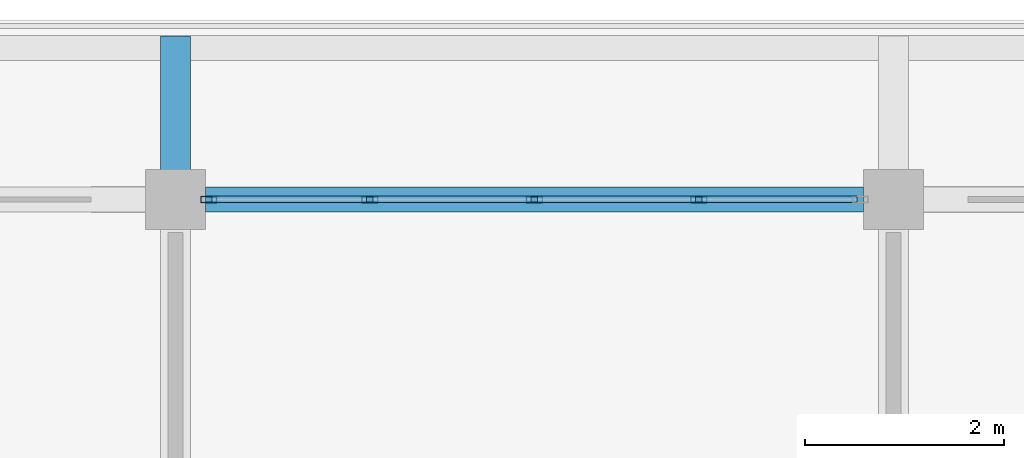
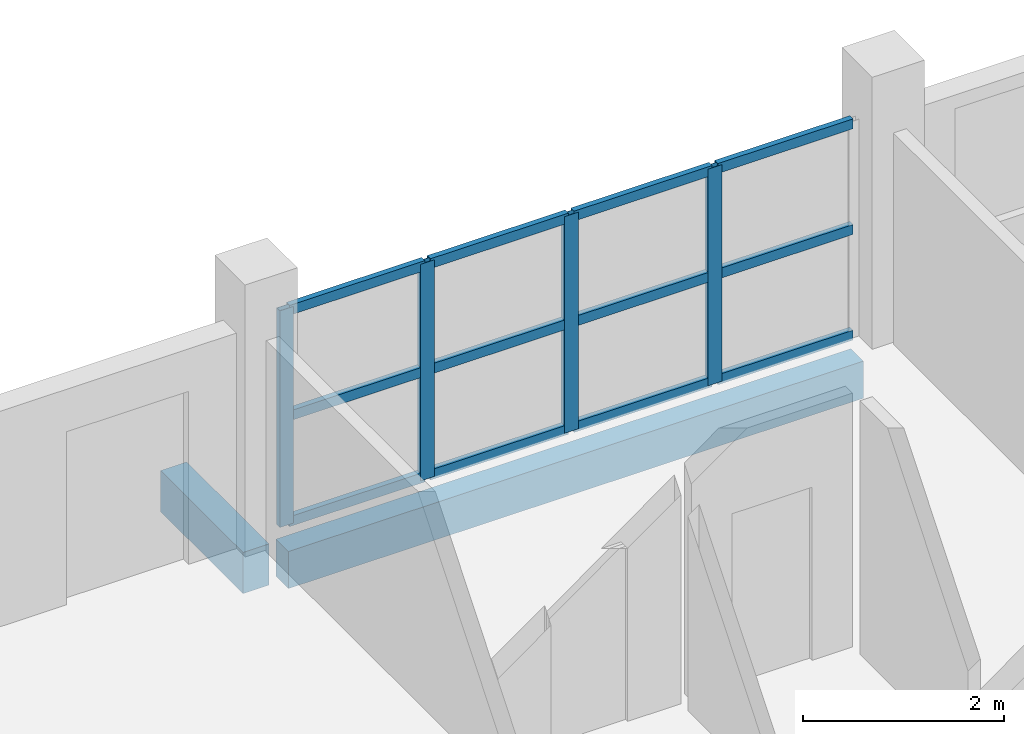
# One storey, part 12 of 60: 16 members, 2 beams, 1 element without a shape of its own.
"""IFC4 building model written with IfcOpenShell, lengths in metres."""

from ifc_helpers import new_model, si_unit, direction, frame, origin, origin_2d, place, context, subcontext, project, spatial, rectangle, hollow_rectangle, extrude, material, material_profile, profile_set, type_object, element, aggregate, save


model = new_model("IFC4")

# Units and contexts
model_context = context("Model", 3, precision=1e-05, world=origin(), true_north=direction((0.0, 1.0)))
body_context = subcontext(model_context, "Body", "Model", "MODEL_VIEW")
ifc_project = project(units=[si_unit("LENGTHUNIT", "METRE"), si_unit("AREAUNIT", "SQUARE_METRE"), si_unit("VOLUMEUNIT", "CUBIC_METRE"), si_unit("PLANEANGLEUNIT", "RADIAN"), si_unit("MASSUNIT", "GRAM", prefix="KILO")], contexts=[model_context])

# Site, building, storey
site_placement = place(None, origin())
site = spatial("IfcSite", under=ifc_project, at=site_placement, CompositionType="ELEMENT")
building_placement = place(site_placement, origin())
building = spatial("IfcBuilding", under=site, at=building_placement, Name="Suanplinth Sawtooth Commons", CompositionType="ELEMENT")
storey_placement = place(building_placement, frame((0.0, 0.0, 31.5)))
storey = spatial("IfcBuildingStorey", under=building, at=storey_placement, Name="L09", CompositionType="ELEMENT", Elevation=31.5)

# Beams
ifc_material_1 = material(Name="Precast concrete C40/50", Category="concrete")
ifc_material_profile_1 = material_profile(ifc_material_1, rectangle(XDim=0.300048828125, YDim=0.5, at=origin_2d()), Name="PC-BM 300x500")
ifc_profile_set_1 = profile_set([ifc_material_profile_1], Name="Precast concrete C40/50")
beam_type_1 = type_object("IfcBeamType", Name="B-07", PredefinedType="BEAM", material=ifc_profile_set_1)
beam_1_placement = place(storey_placement, frame((72.0, 122.39990234375, -0.429931640625), z_axis=(0.0, 1.0, 0.0), x_axis=(-1.0, 0.0, 0.0)))
element("IfcBeam", 1, at=beam_1_placement, inside=storey, type_object=beam_type_1, Name="Balcony Outrigger L09-A-N-10", PredefinedType="BEAM", context=body_context, shape_type="SweptSolid", body=[
    extrude(rectangle(XDim=0.300048828125, YDim=0.5, at=origin_2d()), origin(), (0.0, 0.0, 1.0), 1.64013671875),
])
ifc_material_profile_2 = material_profile(ifc_material_1, rectangle(XDim=0.25, YDim=0.449951171875, at=origin_2d()), Name="PC-SP 250x450")
ifc_profile_set_2 = profile_set([ifc_material_profile_2], Name="Precast concrete C40/50")
beam_type_2 = type_object("IfcBeamType", Name="B-09", PredefinedType="SPANDREL", material=ifc_profile_set_2)
beam_2_placement = place(storey_placement, frame((72.300048828125, 122.39990234375, -0.47509765625), z_axis=(1.0, 0.0, 0.0), x_axis=(0.0, 1.0, 0.0)))
element("IfcBeam", 2, at=beam_2_placement, inside=storey, type_object=beam_type_2, Name="BMX-L09-A-10-17", PredefinedType="SPANDREL", context=body_context, shape_type="SweptSolid", body=[
    extrude(rectangle(XDim=0.25, YDim=0.449951171875, at=origin_2d()), origin(), (0.0, 0.0, 1.0), 6.599853515625),
])

# Curtain wall, members
ifc_material_2 = material(Name="Anodized aluminium and low-E glazing", Category="aluminium")
curtain_wall_type = type_object("IfcCurtainWallType", Name="CW-06", PredefinedType="USERDEFINED", material=ifc_material_2)
curtain_wall_placement = place(storey_placement, origin())
curtain_wall = element("IfcCurtainWall", 3, at=curtain_wall_placement, inside=storey, type_object=curtain_wall_type, Name="Curtain Wall CW-L09-A-LOUNGE-8", ObjectType="CURTAIN WALL", PredefinedType="USERDEFINED")
ifc_material_3 = material(Name="Anodized aluminium 6063-T6", Category="aluminium")
ifc_material_profile_3 = material_profile(ifc_material_3, hollow_rectangle(XDim=0.06494140625, YDim=0.159912109375, WallThickness=0.00390625, at=origin_2d()), Name="ALU-MUL 65x160")
ifc_profile_set_3 = profile_set([ifc_material_profile_3], Name="Anodized aluminium 6063-T6")
member_type_1 = type_object("IfcMemberType", Name="M-13", PredefinedType="MULLION", material=ifc_profile_set_3)
member_1_placement = place(storey_placement, frame((72.33251953125, 122.39990234375, 0.0), z_axis=(0.0, 0.0, 1.0), x_axis=(0.0, 1.0, 0.0)))
member_1 = element("IfcMember", 4, at=member_1_placement, type_object=member_type_1, Name="CW-06 mullion 1", PredefinedType="MULLION", context=body_context, shape_type="SweptSolid", body=[
    extrude(hollow_rectangle(XDim=0.06494140625, YDim=0.159912109375, WallThickness=0.00390625, at=origin_2d()), origin(), (0.0, 0.0, 1.0), 2.6298828125),
])
member_2_placement = place(storey_placement, frame((73.949951171875, 122.39990234375, 0.0), z_axis=(0.0, 0.0, 1.0), x_axis=(0.0, 1.0, 0.0)))
member_2 = element("IfcMember", 5, at=member_2_placement, type_object=member_type_1, Name="CW-06 mullion 2", PredefinedType="MULLION", context=body_context, shape_type="SweptSolid", body=[
    extrude(hollow_rectangle(XDim=0.06494140625, YDim=0.159912109375, WallThickness=0.00390625, at=origin_2d()), origin(), (0.0, 0.0, 1.0), 2.6298828125),
])
member_3_placement = place(storey_placement, frame((75.60009765625, 122.39990234375, 0.0), z_axis=(0.0, 0.0, 1.0), x_axis=(0.0, 1.0, 0.0)))
member_3 = element("IfcMember", 6, at=member_3_placement, type_object=member_type_1, Name="CW-06 mullion 3", PredefinedType="MULLION", context=body_context, shape_type="SweptSolid", body=[
    extrude(hollow_rectangle(XDim=0.06494140625, YDim=0.159912109375, WallThickness=0.00390625, at=origin_2d()), origin(), (0.0, 0.0, 1.0), 2.6298828125),
])
member_4_placement = place(storey_placement, frame((77.25, 122.39990234375, 0.0), z_axis=(0.0, 0.0, 1.0), x_axis=(0.0, 1.0, 0.0)))
member_4 = element("IfcMember", 7, at=member_4_placement, type_object=member_type_1, Name="CW-06 mullion 4", PredefinedType="MULLION", context=body_context, shape_type="SweptSolid", body=[
    extrude(hollow_rectangle(XDim=0.06494140625, YDim=0.159912109375, WallThickness=0.00390625, at=origin_2d()), origin(), (0.0, 0.0, 1.0), 2.6298828125),
])
ifc_material_profile_4 = material_profile(ifc_material_3, hollow_rectangle(XDim=0.06494140625, YDim=0.1201171875, WallThickness=0.00390625, at=origin_2d()), Name="ALU-TRN 65x120")
ifc_profile_set_4 = profile_set([ifc_material_profile_4], Name="Anodized aluminium 6063-T6")
member_type_2 = type_object("IfcMemberType", Name="M-15", PredefinedType="USERDEFINED", material=ifc_profile_set_4)
member_5_placement = place(storey_placement, frame((72.364990234375, 122.39990234375, 0.032470703125), z_axis=(1.0, 0.0, 0.0), x_axis=(0.0, 1.0, 0.0)))
member_5 = element("IfcMember", 8, at=member_5_placement, type_object=member_type_2, Name="CW-06 transom 1.1", ObjectType="TRANSOM", PredefinedType="USERDEFINED", context=body_context, shape_type="SweptSolid", body=[
    extrude(hollow_rectangle(XDim=0.06494140625, YDim=0.1201171875, WallThickness=0.00390625, at=origin_2d()), origin(), (0.0, 0.0, 1.0), 1.552490234375),
])
member_6_placement = place(storey_placement, frame((72.364990234375, 122.39990234375, 1.31494140625), z_axis=(1.0, 0.0, 0.0), x_axis=(0.0, 1.0, 0.0)))
member_6 = element("IfcMember", 9, at=member_6_placement, type_object=member_type_2, Name="CW-06 transom 1.2", ObjectType="TRANSOM", PredefinedType="USERDEFINED", context=body_context, shape_type="SweptSolid", body=[
    extrude(hollow_rectangle(XDim=0.06494140625, YDim=0.1201171875, WallThickness=0.00390625, at=origin_2d()), origin(), (0.0, 0.0, 1.0), 1.552490234375),
])
member_7_placement = place(storey_placement, frame((72.364990234375, 122.39990234375, 2.597412109375), z_axis=(1.0, 0.0, 0.0), x_axis=(0.0, 1.0, 0.0)))
member_7 = element("IfcMember", 10, at=member_7_placement, type_object=member_type_2, Name="CW-06 transom 1.3", ObjectType="TRANSOM", PredefinedType="USERDEFINED", context=body_context, shape_type="SweptSolid", body=[
    extrude(hollow_rectangle(XDim=0.06494140625, YDim=0.1201171875, WallThickness=0.00390625, at=origin_2d()), origin(), (0.0, 0.0, 1.0), 1.552490234375),
])
member_8_placement = place(storey_placement, frame((73.982421875, 122.39990234375, 0.032470703125), z_axis=(1.0, 0.0, 0.0), x_axis=(0.0, 1.0, 0.0)))
member_8 = element("IfcMember", 11, at=member_8_placement, type_object=member_type_2, Name="CW-06 transom 2.1", ObjectType="TRANSOM", PredefinedType="USERDEFINED", context=body_context, shape_type="SweptSolid", body=[
    extrude(hollow_rectangle(XDim=0.06494140625, YDim=0.1201171875, WallThickness=0.00390625, at=origin_2d()), origin(), (0.0, 0.0, 1.0), 1.5849609375),
])
member_9_placement = place(storey_placement, frame((73.982421875, 122.39990234375, 1.31494140625), z_axis=(1.0, 0.0, 0.0), x_axis=(0.0, 1.0, 0.0)))
member_9 = element("IfcMember", 12, at=member_9_placement, type_object=member_type_2, Name="CW-06 transom 2.2", ObjectType="TRANSOM", PredefinedType="USERDEFINED", context=body_context, shape_type="SweptSolid", body=[
    extrude(hollow_rectangle(XDim=0.06494140625, YDim=0.1201171875, WallThickness=0.00390625, at=origin_2d()), origin(), (0.0, 0.0, 1.0), 1.5849609375),
])
member_10_placement = place(storey_placement, frame((73.982421875, 122.39990234375, 2.597412109375), z_axis=(1.0, 0.0, 0.0), x_axis=(0.0, 1.0, 0.0)))
member_10 = element("IfcMember", 13, at=member_10_placement, type_object=member_type_2, Name="CW-06 transom 2.3", ObjectType="TRANSOM", PredefinedType="USERDEFINED", context=body_context, shape_type="SweptSolid", body=[
    extrude(hollow_rectangle(XDim=0.06494140625, YDim=0.1201171875, WallThickness=0.00390625, at=origin_2d()), origin(), (0.0, 0.0, 1.0), 1.5849609375),
])
member_11_placement = place(storey_placement, frame((75.632568359375, 122.39990234375, 0.032470703125), z_axis=(1.0, 0.0, 0.0), x_axis=(0.0, 1.0, 0.0)))
member_11 = element("IfcMember", 14, at=member_11_placement, type_object=member_type_2, Name="CW-06 transom 3.1", ObjectType="TRANSOM", PredefinedType="USERDEFINED", context=body_context, shape_type="SweptSolid", body=[
    extrude(hollow_rectangle(XDim=0.06494140625, YDim=0.1201171875, WallThickness=0.00390625, at=origin_2d()), origin(), (0.0, 0.0, 1.0), 1.5849609375),
])
member_12_placement = place(storey_placement, frame((75.632568359375, 122.39990234375, 1.31494140625), z_axis=(1.0, 0.0, 0.0), x_axis=(0.0, 1.0, 0.0)))
member_12 = element("IfcMember", 15, at=member_12_placement, type_object=member_type_2, Name="CW-06 transom 3.2", ObjectType="TRANSOM", PredefinedType="USERDEFINED", context=body_context, shape_type="SweptSolid", body=[
    extrude(hollow_rectangle(XDim=0.06494140625, YDim=0.1201171875, WallThickness=0.00390625, at=origin_2d()), origin(), (0.0, 0.0, 1.0), 1.5849609375),
])
member_13_placement = place(storey_placement, frame((75.632568359375, 122.39990234375, 2.597412109375), z_axis=(1.0, 0.0, 0.0), x_axis=(0.0, 1.0, 0.0)))
member_13 = element("IfcMember", 16, at=member_13_placement, type_object=member_type_2, Name="CW-06 transom 3.3", ObjectType="TRANSOM", PredefinedType="USERDEFINED", context=body_context, shape_type="SweptSolid", body=[
    extrude(hollow_rectangle(XDim=0.06494140625, YDim=0.1201171875, WallThickness=0.00390625, at=origin_2d()), origin(), (0.0, 0.0, 1.0), 1.5849609375),
])
member_14_placement = place(storey_placement, frame((77.282470703125, 122.39990234375, 0.032470703125), z_axis=(1.0, 0.0, 0.0), x_axis=(0.0, 1.0, 0.0)))
member_14 = element("IfcMember", 17, at=member_14_placement, type_object=member_type_2, Name="CW-06 transom 4.1", ObjectType="TRANSOM", PredefinedType="USERDEFINED", context=body_context, shape_type="SweptSolid", body=[
    extrude(hollow_rectangle(XDim=0.06494140625, YDim=0.1201171875, WallThickness=0.00390625, at=origin_2d()), origin(), (0.0, 0.0, 1.0), 1.552490234375),
])
member_15_placement = place(storey_placement, frame((77.282470703125, 122.39990234375, 1.31494140625), z_axis=(1.0, 0.0, 0.0), x_axis=(0.0, 1.0, 0.0)))
member_15 = element("IfcMember", 18, at=member_15_placement, type_object=member_type_2, Name="CW-06 transom 4.2", ObjectType="TRANSOM", PredefinedType="USERDEFINED", context=body_context, shape_type="SweptSolid", body=[
    extrude(hollow_rectangle(XDim=0.06494140625, YDim=0.1201171875, WallThickness=0.00390625, at=origin_2d()), origin(), (0.0, 0.0, 1.0), 1.552490234375),
])
member_16_placement = place(storey_placement, frame((77.282470703125, 122.39990234375, 2.597412109375), z_axis=(1.0, 0.0, 0.0), x_axis=(0.0, 1.0, 0.0)))
member_16 = element("IfcMember", 19, at=member_16_placement, type_object=member_type_2, Name="CW-06 transom 4.3", ObjectType="TRANSOM", PredefinedType="USERDEFINED", context=body_context, shape_type="SweptSolid", body=[
    extrude(hollow_rectangle(XDim=0.06494140625, YDim=0.1201171875, WallThickness=0.00390625, at=origin_2d()), origin(), (0.0, 0.0, 1.0), 1.552490234375),
])
aggregate(curtain_wall, [member_1, member_2, member_3, member_4, member_5, member_6, member_7, member_8, member_9, member_10, member_11, member_12, member_13, member_14, member_15, member_16])

save(model, "model.ifc")
